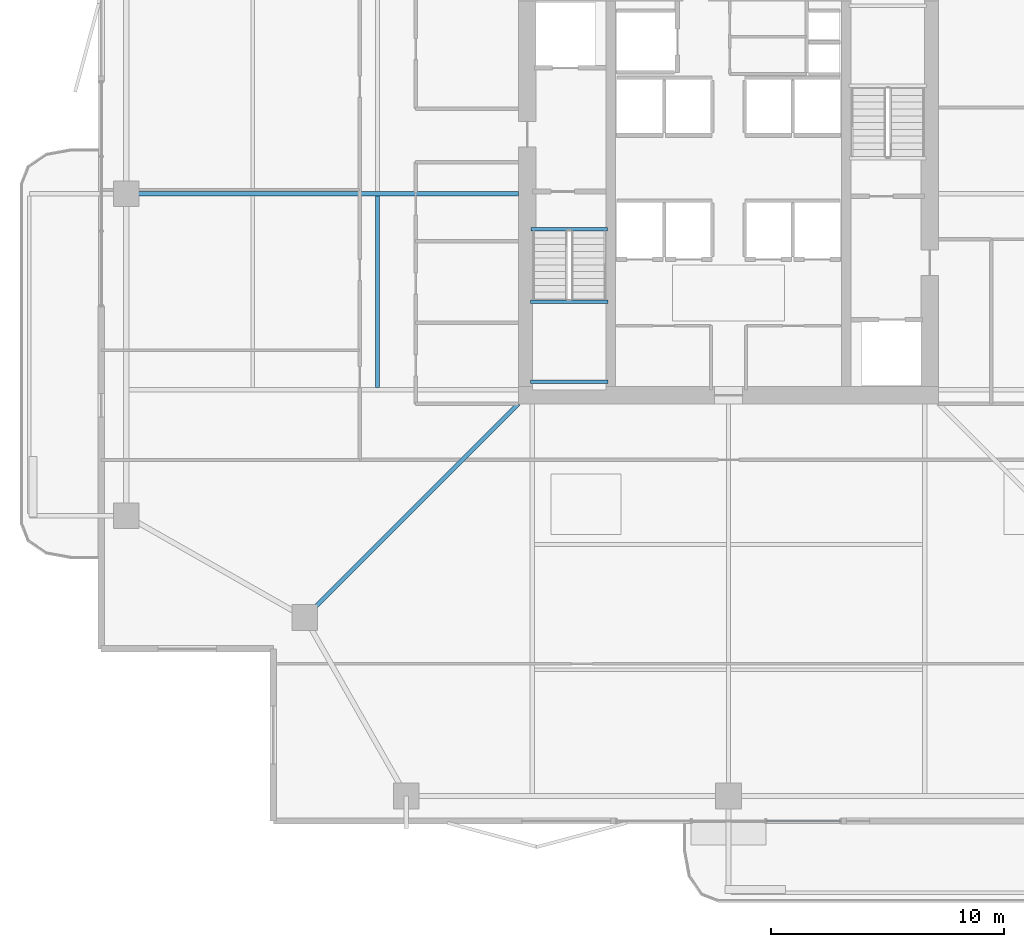
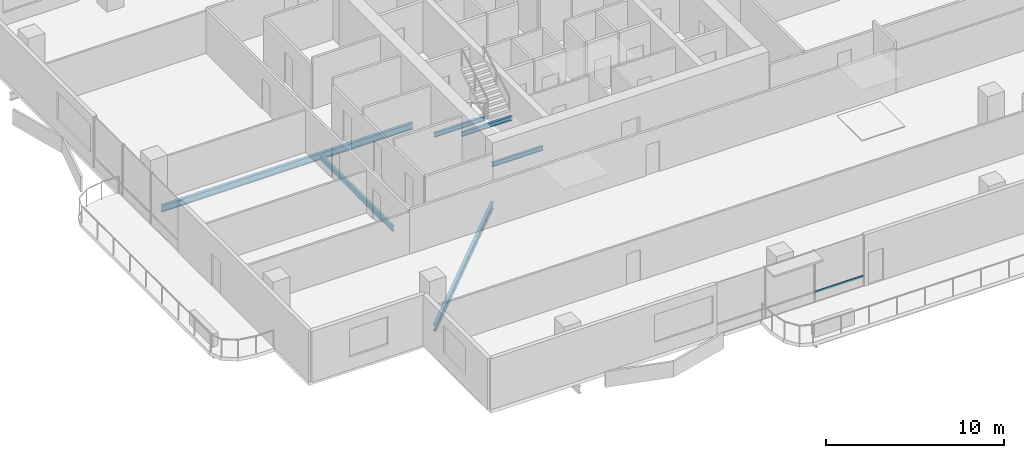
# One storey, part 5 of 24: 6 beams, 1 member, 1 element without a shape of its own.
"""IFC4 building model written with IfcOpenShell, lengths in metres."""

from ifc_helpers import new_model, si_unit, direction, frame, origin, origin_2d, place, context, subcontext, project, spatial, hollow_rectangle, i_section, extrude, material, layer, layer_set, material_profile, profile_set, type_object, element, aggregate, save


model = new_model("IFC4")

# Units and contexts
model_context = context("Model", 3, precision=1e-05, world=origin(), true_north=direction((0.0, 1.0)))
body_context = subcontext(model_context, "Body", "Model", "MODEL_VIEW")
ifc_project = project(units=[si_unit("LENGTHUNIT", "METRE"), si_unit("AREAUNIT", "SQUARE_METRE"), si_unit("VOLUMEUNIT", "CUBIC_METRE"), si_unit("PLANEANGLEUNIT", "RADIAN"), si_unit("MASSUNIT", "GRAM", prefix="KILO")], contexts=[model_context])

# Site, building, storey
site_placement = place(None, origin())
site = spatial("IfcSite", under=ifc_project, at=site_placement, CompositionType="ELEMENT")
building_placement = place(site_placement, origin())
building = spatial("IfcBuilding", under=site, at=building_placement, Name="Belovzor Exchange Tower", CompositionType="ELEMENT")
storey_placement = place(building_placement, frame((0.0, 0.0, 222.449951171875)))
storey = spatial("IfcBuildingStorey", under=building, at=storey_placement, Name="L55", CompositionType="ELEMENT", Elevation=222.449951171875)

# Beams
ifc_material_1 = material(Name="Steel S355", Category="steel")
ifc_material_profile_1 = material_profile(ifc_material_1, i_section(OverallWidth=0.169921875, OverallDepth=0.360107421875, WebThickness=0.008056640625, FlangeThickness=0.0126953125, at=origin_2d()))
ifc_profile_set_1 = profile_set([ifc_material_profile_1], Name="Steel S355")
beam_type_1 = type_object("IfcBeamType", Name="Secondary Infill Floor Joist IPE 360", PredefinedType="BEAM", material=ifc_profile_set_1)
beam_1_placement = place(storey_placement, frame((13.77197265625, 20.4951171875, -0.429931640625), z_axis=(0.0, 1.0, 0.0), x_axis=(-1.0, 0.0, 0.0)))
element("IfcBeam", 1, at=beam_1_placement, inside=storey, type_object=beam_type_1, Name="FJ-360 Secondary Infill Floor Joist IPE 360", PredefinedType="BEAM", context=body_context, shape_type="SweptSolid", body=[
    extrude(i_section(OverallWidth=0.169921875, OverallDepth=0.360107421875, WebThickness=0.008056640625, FlangeThickness=0.0126953125, at=origin_2d()), origin(), (0.0, 0.0, 1.0), 8.2099609375),
])
ifc_material_2 = material(Name="Steel S355", Category="steel")
ifc_material_profile_2 = material_profile(ifc_material_2, i_section(OverallWidth=0.14990234375, OverallDepth=0.300048828125, WebThickness=0.007080078125, FlangeThickness=0.0107421875, at=origin_2d()))
ifc_profile_set_2 = profile_set([ifc_material_profile_2], Name="Steel S355")
beam_type_2 = type_object("IfcBeamType", Name="Secondary Trim Floor Joist IPE 300", PredefinedType="BEAM", material=ifc_profile_set_2)
for number, where, z_axis, x_axis, name in (
    (2, (20.320068359375, 24.179931640625, 1.525146484375), (1.0, 0.0, 0.0), (0.0, 1.0, 0.0), "FJ-300 Secondary Trim Floor Joist IPE 300"),
    (3, (20.320068359375, 20.75, 1.525146484375), (1.0, 0.0, 0.0), (0.0, 1.0, 0.0), "FJ-300 Secondary Trim Floor Joist IPE 300"),
):
    element("IfcBeam", number, at=place(storey_placement, frame(where, z_axis=z_axis, x_axis=x_axis)), inside=storey, type_object=beam_type_2, Name=name, PredefinedType="BEAM", context=body_context, shape_type="SweptSolid", body=[
        extrude(i_section(OverallWidth=0.14990234375, OverallDepth=0.300048828125, WebThickness=0.007080078125, FlangeThickness=0.0107421875, at=origin_2d()), origin(), (0.0, 0.0, 1.0), 3.309814453125),
    ])
beam_2_placement = place(storey_placement, frame((20.340087890625, 27.280029296875, -0.39990234375), z_axis=(1.0, 0.0, 0.0), x_axis=(0.0, 1.0, 0.0)))
element("IfcBeam", 4, at=beam_2_placement, inside=storey, type_object=beam_type_2, Name="FJ-300 Secondary Trim Floor Joist IPE 300", PredefinedType="BEAM", context=body_context, shape_type="SweptSolid", body=[
    extrude(i_section(OverallWidth=0.14990234375, OverallDepth=0.300048828125, WebThickness=0.007080078125, FlangeThickness=0.0107421875, at=origin_2d()), origin(), (0.0, 0.0, 1.0), 3.27001953125),
])

# Curtain wall, member
ifc_material_3 = material(Name="Anodised Aluminium Framing", Category="aluminium")
ifc_layer = layer(ifc_material_3, 0.179931640625)
ifc_layer_set = layer_set([ifc_layer], Name="Anodised Aluminium Framing")
curtain_wall_type = type_object("IfcCurtainWallType", Name="Recessed Loggia Low-Iron Triple-Glazed Curtain Wall", PredefinedType="NOTDEFINED", material=ifc_layer_set)
curtain_wall_placement = place(storey_placement, origin())
curtain_wall = element("IfcCurtainWall", 5, at=curtain_wall_placement, inside=storey, type_object=curtain_wall_type, Name="CW3 Recessed Loggia Low-Iron Triple-Glazed Curtain Wall L55", PredefinedType="NOTDEFINED")
ifc_material_4 = material(Name="Steel S355", Category="steel")
ifc_material_profile_3 = material_profile(ifc_material_4, hollow_rectangle(XDim=0.06005859375, YDim=0.14990234375, WallThickness=0.00390625, at=origin_2d()))
ifc_profile_set_3 = profile_set([ifc_material_profile_3], Name="Steel S355")
member_type = type_object("IfcMemberType", Name="Thermally Broken Curtain Wall Transom 150x60", PredefinedType="USERDEFINED", material=ifc_profile_set_3)
member_placement = place(storey_placement, frame((33.592041015625, 1.929931640625, 0.630126953125), z_axis=(-1.0, 0.0, 0.0), x_axis=(0.0, -1.0, 0.0)))
member = element("IfcMember", 6, at=member_placement, type_object=member_type, Name="CW-T150 Curtain Wall Transom 1", ObjectType="TRANSOM", PredefinedType="USERDEFINED", context=body_context, shape_type="SweptSolid", body=[
    extrude(hollow_rectangle(XDim=0.06005859375, YDim=0.14990234375, WallThickness=0.00390625, at=origin_2d()), origin(), (0.0, 0.0, 1.0), 3.18408203125),
])
aggregate(curtain_wall, [member])

# Beams
ifc_material_5 = material(Name="Steel S355", Category="steel")
ifc_material_profile_4 = material_profile(ifc_material_5, i_section(OverallWidth=0.18994140625, OverallDepth=0.449951171875, WebThickness=0.009521484375, FlangeThickness=0.0146484375, at=origin_2d()))
ifc_profile_set_4 = profile_set([ifc_material_profile_4], Name="Steel S355")
beam_type_3 = type_object("IfcBeamType", Name="Zone 2-4 Radial Composite Floor Beam IPE 450", PredefinedType="BEAM", material=ifc_profile_set_4)
beam_3_placement = place(storey_placement, frame((19.800048828125, 28.800048828125, -0.474853515625), z_axis=(-1.0, 0.0, 0.0), x_axis=(0.0, -1.0, 0.0)))
element("IfcBeam", 7, at=beam_3_placement, inside=storey, type_object=beam_type_3, Name="FB-450 Zone 2-4 Radial Composite Floor Beam IPE 450", PredefinedType="BEAM", context=body_context, shape_type="SweptSolid", body=[
    extrude(i_section(OverallWidth=0.18994140625, OverallDepth=0.449951171875, WebThickness=0.009521484375, FlangeThickness=0.0146484375, at=origin_2d()), origin(), (0.0, 0.0, 1.0), 16.316162109375),
])
beam_4_placement = place(storey_placement, frame((19.800048828125, 19.800048828125, -0.474853515625), z_axis=(-0.707106781187, -0.707106781187, 0.0), x_axis=(0.707106781187, -0.707106781187, 0.0)))
element("IfcBeam", 8, at=beam_4_placement, inside=storey, type_object=beam_type_3, Name="FB-450 Zone 2-4 Radial Composite Floor Beam IPE 450", PredefinedType="BEAM", context=body_context, shape_type="SweptSolid", body=[
    extrude(i_section(OverallWidth=0.18994140625, OverallDepth=0.449951171875, WebThickness=0.009521484375, FlangeThickness=0.0146484375, at=origin_2d()), origin(), (0.0, 0.0, 1.0), 12.551025390625),
])

save(model, "model.ifc")
